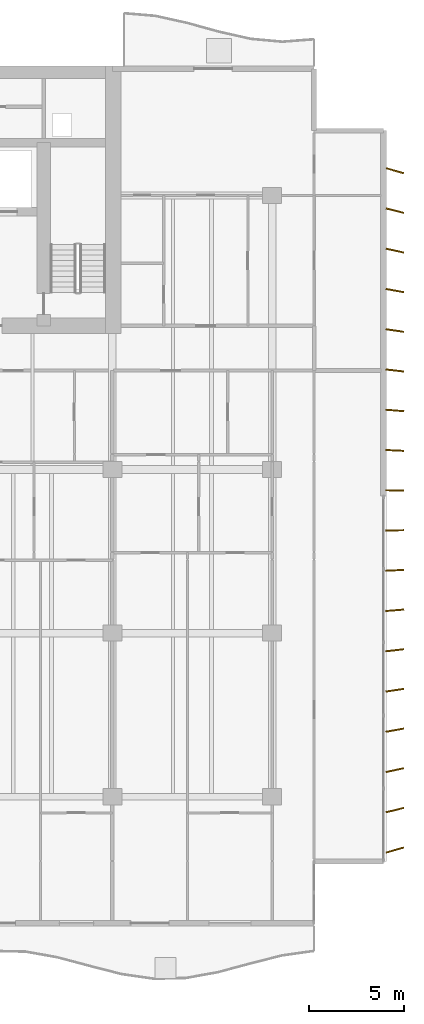
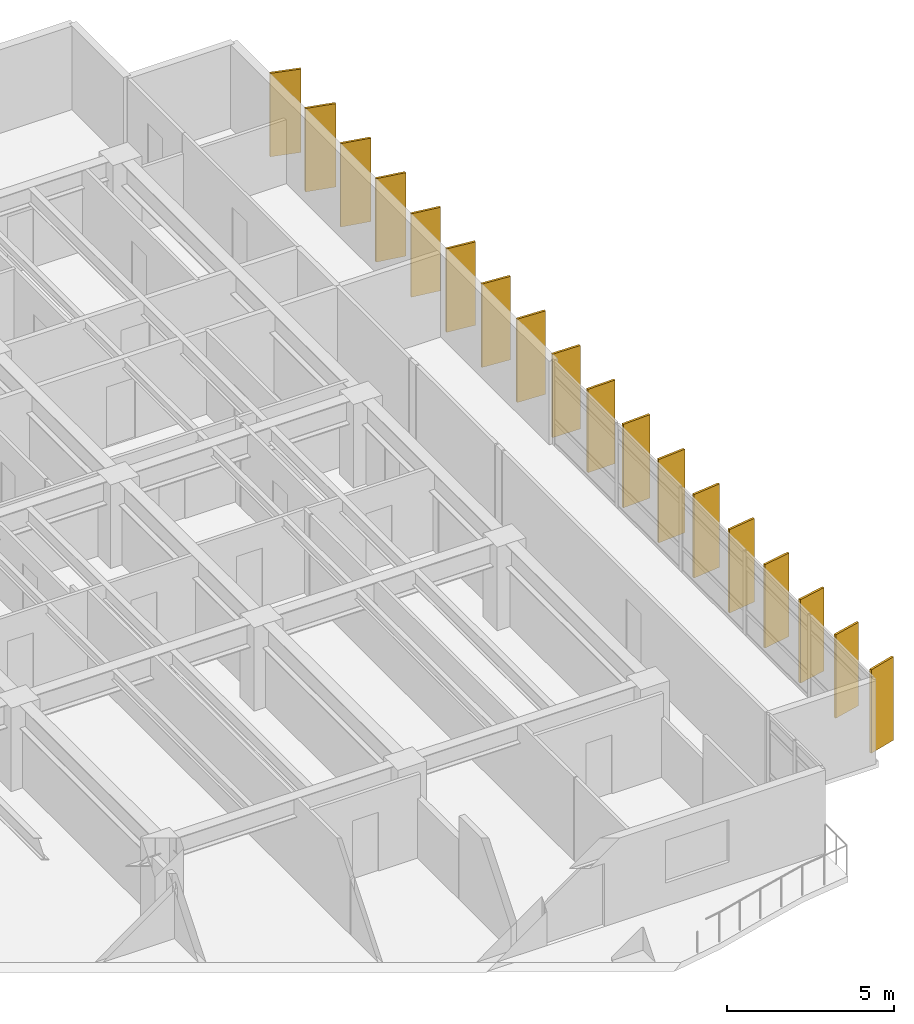
# One storey, part 16 of 16: 18 shading devices.
"""IFC4 building model written with IfcOpenShell, lengths in metres."""

from ifc_helpers import new_model, si_unit, direction, frame, origin, origin_2d, place, context, subcontext, project, spatial, rectangle, extrude, material, material_profile, profile_set, type_object, element, save


model = new_model("IFC4")

# Units and contexts
model_context = context("Model", 3, precision=1e-05, world=origin(), true_north=direction((0.0, 1.0)))
body_context = subcontext(model_context, "Body", "Model", "MODEL_VIEW")
ifc_project = project(units=[si_unit("LENGTHUNIT", "METRE"), si_unit("AREAUNIT", "SQUARE_METRE"), si_unit("VOLUMEUNIT", "CUBIC_METRE"), si_unit("PLANEANGLEUNIT", "RADIAN"), si_unit("MASSUNIT", "GRAM", prefix="KILO")], contexts=[model_context])

# Site, building, storey
site_placement = place(None, origin())
site = spatial("IfcSite", under=ifc_project, at=site_placement, CompositionType="ELEMENT")
building_placement = place(site_placement, origin())
building = spatial("IfcBuilding", under=site, at=building_placement, Name="Caelmar Bay Residences", CompositionType="ELEMENT")
storey_placement = place(building_placement, frame((0.0, 0.0, 102.60009765625)))
storey = spatial("IfcBuildingStorey", under=building, at=storey_placement, Name="L27", CompositionType="ELEMENT", Elevation=102.60009765625)

# Shading devices
ifc_material = material(Name="Anodised architectural bronze aluminium 6063-T6", Category="aluminium")
ifc_material_profile = material_profile(ifc_material, rectangle(XDim=0.074951171875, YDim=0.949951171875, at=origin_2d()), Name="BRONZE-FIN-75X950")
ifc_profile_set = profile_set([ifc_material_profile], Name="Anodised architectural bronze aluminium 6063-T6")
shading_device_type = type_object("IfcShadingDeviceType", Name="SHD-FIN-950", PredefinedType="USERDEFINED", material=ifc_profile_set)
for number, where, z_axis, x_axis, name in (
    (1, (74.35009765625, 9.39990234375, 0.0), (0.0, 0.0, 1.0), (-0.275637355817, 0.961261695938, 0.0), "L27 East Bronze Solar Fin 1"),
    (2, (74.35009765625, 11.5, 0.0), (0.0, 0.0, 1.0), (-0.243953546137, 0.969786918517, 0.0), "L27 East Bronze Solar Fin 2"),
    (3, (74.35009765625, 13.60009765625, 0.0), (0.0, 0.0, 1.0), (-0.212007109922, 0.977268123568, 0.0), "L27 East Bronze Solar Fin 3"),
    (4, (74.35009765625, 15.699951171875, 0.0), (0.0, 0.0, 1.0), (-0.179660748593, 0.98372862895, 0.0), "L27 East Bronze Solar Fin 4"),
    (5, (74.35009765625, 17.800048828125, 0.0), (0.0, 0.0, 1.0), (-0.147291543397, 0.989093120613, 0.0), "L27 East Bronze Solar Fin 5"),
    (6, (74.35009765625, 19.89990234375, 0.0), (0.0, 0.0, 1.0), (-0.114763772489, 0.993392810787, 0.0), "L27 East Bronze Solar Fin 6"),
    (7, (74.35009765625, 22.0, 0.0), (0.0, 0.0, 1.0), (-0.08211245342, 0.996623070671, 0.0), "L27 East Bronze Solar Fin 7"),
    (8, (74.35009765625, 24.10009765625, 0.0), (0.0, 0.0, 1.0), (-0.049198415926, 0.998789024705, 0.0), "L27 East Bronze Solar Fin 8"),
    (9, (74.35009765625, 26.199951171875, 0.0), (0.0, 0.0, 1.0), (-0.016405359001, 0.999865423043, 0.0), "L27 East Bronze Solar Fin 9"),
    (10, (74.35009765625, 28.300048828125, 0.0), (0.0, 0.0, 1.0), (0.016405359001, 0.999865423043, 0.0), "L27 East Bronze Solar Fin 10"),
    (11, (74.35009765625, 30.39990234375, 0.0), (0.0, 0.0, 1.0), (0.049198415926, 0.998789024705, 0.0), "L27 East Bronze Solar Fin 11"),
    (12, (74.35009765625, 32.5, 0.0), (0.0, 0.0, 1.0), (0.08211245342, 0.996623070671, 0.0), "L27 East Bronze Solar Fin 12"),
    (13, (74.35009765625, 34.60009765625, 0.0), (0.0, 0.0, 1.0), (0.114763772489, 0.993392810787, 0.0), "L27 East Bronze Solar Fin 13"),
    (14, (74.35009765625, 36.699951171875, 0.0), (0.0, 0.0, 1.0), (0.147291543397, 0.989093120613, 0.0), "L27 East Bronze Solar Fin 14"),
    (15, (74.35009765625, 38.800048828125, 0.0), (0.0, 0.0, 1.0), (0.179660748593, 0.98372862895, 0.0), "L27 East Bronze Solar Fin 15"),
    (16, (74.35009765625, 40.89990234375, 0.0), (0.0, 0.0, 1.0), (0.212007109922, 0.977268123568, 0.0), "L27 East Bronze Solar Fin 16"),
    (17, (74.35009765625, 43.0, 0.0), (0.0, 0.0, 1.0), (0.243953546137, 0.969786918517, 0.0), "L27 East Bronze Solar Fin 17"),
    (18, (74.35009765625, 45.10009765625, 0.0), (0.0, 0.0, 1.0), (0.275637355817, 0.961261695938, 0.0), "L27 East Bronze Solar Fin 18"),
):
    element("IfcShadingDevice", number, at=place(storey_placement, frame(where, z_axis=z_axis, x_axis=x_axis)), inside=storey, type_object=shading_device_type, Name=name, ObjectType="FIN", PredefinedType="USERDEFINED", context=body_context, shape_type="SweptSolid", body=[
        extrude(rectangle(XDim=0.074951171875, YDim=0.949951171875, at=origin_2d()), origin(), (0.0, 0.0, 1.0), 3.0498046875),
    ])

save(model, "model.ifc")
